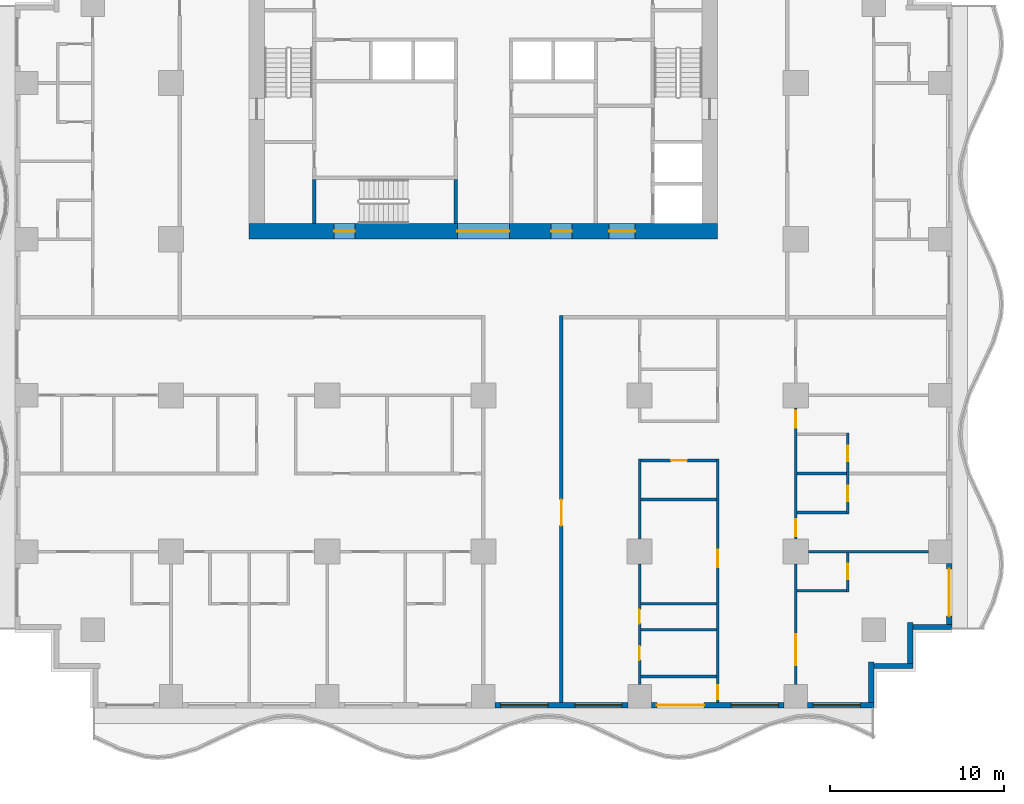
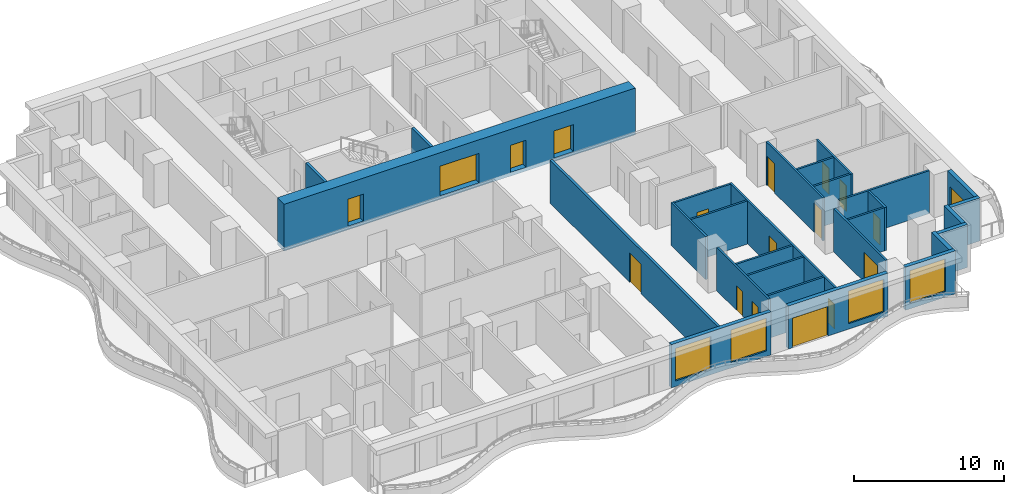
# One storey, part 3 of 13: 28 walls, 18 doors, 4 windows, 22 openings.
"""IFC4 building model written with IfcOpenShell, lengths in metres."""

from ifc_helpers import new_model, si_unit, direction, frame, frame_2d, origin, place, context, subcontext, project, spatial, rectangle, extrude, material, layer, layer_set, type_object, element, fill, save


model = new_model("IFC4")

# Units and contexts
model_context = context("Model", 3, precision=1e-05, world=origin(), true_north=direction((0.0, 1.0)))
body_context = subcontext(model_context, "Body", "Model", "MODEL_VIEW")
ifc_project = project(units=[si_unit("LENGTHUNIT", "METRE"), si_unit("AREAUNIT", "SQUARE_METRE"), si_unit("VOLUMEUNIT", "CUBIC_METRE"), si_unit("PLANEANGLEUNIT", "RADIAN"), si_unit("MASSUNIT", "GRAM", prefix="KILO")], contexts=[model_context])

# Site, building, storey
site_placement = place(None, origin())
site = spatial("IfcSite", under=ifc_project, at=site_placement, CompositionType="ELEMENT")
building_placement = place(site_placement, origin())
building = spatial("IfcBuilding", under=site, at=building_placement, Name="Orbiselva Terraces", CompositionType="ELEMENT")
storey_placement = place(building_placement, frame((0.0, 0.0, 77.0)))
storey = spatial("IfcBuildingStorey", under=building, at=storey_placement, Name="L19", CompositionType="ELEMENT", Elevation=77.0)

# Wall, openings, doors
ifc_material_1 = material(Name="Concrete C80/95", Category="concrete")
ifc_layer_1 = layer(ifc_material_1, 0.9)
ifc_layer_set_1 = layer_set([ifc_layer_1], Name="Concrete C80/95")
wall_type_1 = type_object("IfcWallType", Name="CORE WALL 900", PredefinedType="SHEAR", material=ifc_layer_set_1)
wall_1_placement = place(storey_placement, frame((-13.5, 4.95, -0.3), z_axis=(0.0, 0.0, 1.0), x_axis=(1.0, 0.0, 0.0)))
wall_1 = element("IfcWall", 1, at=wall_1_placement, inside=storey, type_object=wall_type_1, Name="Core wall L19 south", PredefinedType="SHEAR", context=body_context, shape_type="SweptSolid", body=[
    extrude(rectangle(XDim=27.0, YDim=0.9, at=frame_2d((13.5, 0.0))), origin(), (0.0, 0.0, 1.0), 3.8),
])
opening_1_placement = place(wall_1_placement, frame((12.0, 0.0, 0.3)))
opening_1 = element("IfcOpeningElement", 2, at=opening_1_placement, cuts=wall_1, Name="Opening DL3000", PredefinedType="OPENING", context=body_context, shape_type="SweptSolid", body=[
    extrude(rectangle(XDim=3.0, YDim=2.4, at=frame_2d((1.5, 1.2))), frame((0.0, 0.46, 0.0), z_axis=(0.0, -1.0, 0.0), x_axis=(1.0, 0.0, 0.0)), (0.0, 0.0, 1.0), 0.92),
])
opening_2_placement = place(wall_1_placement, frame((4.9, 0.0, 0.3)))
opening_2 = element("IfcOpeningElement", 3, at=opening_2_placement, cuts=wall_1, Name="Opening DS1200", PredefinedType="OPENING", context=body_context, shape_type="SweptSolid", body=[
    extrude(rectangle(XDim=1.2, YDim=2.2, at=frame_2d((0.6, 1.1))), frame((0.0, 0.46, 0.0), z_axis=(0.0, -1.0, 0.0), x_axis=(1.0, 0.0, 0.0)), (0.0, 0.0, 1.0), 0.92),
])
opening_3_placement = place(wall_1_placement, frame((20.75, 0.0, 0.3)))
opening_3 = element("IfcOpeningElement", 4, at=opening_3_placement, cuts=wall_1, Name="Opening DF1500", PredefinedType="OPENING", context=body_context, shape_type="SweptSolid", body=[
    extrude(rectangle(XDim=1.5, YDim=2.2, at=frame_2d((0.75, 1.1))), frame((0.0, 0.46, 0.0), z_axis=(0.0, -1.0, 0.0), x_axis=(1.0, 0.0, 0.0)), (0.0, 0.0, 1.0), 0.92),
])
opening_4_placement = place(wall_1_placement, frame((17.4, 0.0, 0.3)))
opening_4 = element("IfcOpeningElement", 5, at=opening_4_placement, cuts=wall_1, Name="Opening DV1200", PredefinedType="OPENING", context=body_context, shape_type="SweptSolid", body=[
    extrude(rectangle(XDim=1.2, YDim=2.2, at=frame_2d((0.6, 1.1))), frame((0.0, 0.46, 0.0), z_axis=(0.0, -1.0, 0.0), x_axis=(1.0, 0.0, 0.0)), (0.0, 0.0, 1.0), 0.92),
])
ifc_material_2 = material(Name="Steel fire door", Category="steel")
door_type_1 = type_object("IfcDoorType", Name="FFL DOOR 1500", OperationType="DOUBLE_DOOR_SINGLE_SWING", PredefinedType="DOOR", material=ifc_material_2)
door_1_placement = place(opening_3_placement, frame((1.5, 0.0, 0.0), z_axis=(0.0, 0.0, 1.0), x_axis=(-1.0, 0.0, 0.0)))
door_1 = element("IfcDoor", 6, at=door_1_placement, inside=storey, type_object=door_type_1, Name="L19 FIRE-FIGHTING LOBBY door", OperationType="DOUBLE_DOOR_SINGLE_SWING", OverallHeight=2.2, OverallWidth=1.5, PredefinedType="DOOR", context=body_context, shape_type="SweptSolid", body=[
    extrude(rectangle(XDim=1.5, YDim=2.2, at=frame_2d((0.75, 1.1))), frame((0.0, 0.025, 0.0), z_axis=(0.0, -1.0, 0.0), x_axis=(1.0, 0.0, 0.0)), (0.0, 0.0, 1.0), 0.05),
])
fill(opening_3, door_1)
door_type_2 = type_object("IfcDoorType", Name="LOBBY DOOR 3000", OperationType="DOUBLE_DOOR_SINGLE_SWING", PredefinedType="DOOR", material=ifc_material_2)
door_2_placement = place(opening_1_placement, frame((3.0, 0.0, 0.0), z_axis=(0.0, 0.0, 1.0), x_axis=(-1.0, 0.0, 0.0)))
door_2 = element("IfcDoor", 7, at=door_2_placement, inside=storey, type_object=door_type_2, Name="L19 LIFT LOBBY door", OperationType="DOUBLE_DOOR_SINGLE_SWING", OverallHeight=2.4, OverallWidth=3.0, PredefinedType="DOOR", context=body_context, shape_type="SweptSolid", body=[
    extrude(rectangle(XDim=3.0, YDim=2.4, at=frame_2d((1.5, 1.2))), frame((0.0, 0.025, 0.0), z_axis=(0.0, -1.0, 0.0), x_axis=(1.0, 0.0, 0.0)), (0.0, 0.0, 1.0), 0.05),
])
fill(opening_1, door_2)
door_type_3 = type_object("IfcDoorType", Name="SERVICE DOOR 1200", OperationType="NOTDEFINED", PredefinedType="DOOR", material=ifc_material_2)
door_3_placement = place(opening_4_placement, frame((1.2, 0.0, 0.0), z_axis=(0.0, 0.0, 1.0), x_axis=(-1.0, 0.0, 0.0)))
door_3 = element("IfcDoor", 8, at=door_3_placement, inside=storey, type_object=door_type_3, Name="L19 SERVICE ROOM door", OperationType="SINGLE_SWING_RIGHT", OverallHeight=2.2, OverallWidth=1.2, PredefinedType="DOOR", context=body_context, shape_type="SweptSolid", body=[
    extrude(rectangle(XDim=1.2, YDim=2.2, at=frame_2d((0.6, 1.1))), frame((0.0, 0.025, 0.0), z_axis=(0.0, -1.0, 0.0), x_axis=(1.0, 0.0, 0.0)), (0.0, 0.0, 1.0), 0.05),
])
fill(opening_4, door_3)
door_type_4 = type_object("IfcDoorType", Name="STAIR DOOR 1200", OperationType="NOTDEFINED", PredefinedType="DOOR", material=ifc_material_2)
door_4_placement = place(opening_2_placement, frame((1.2, 0.0, 0.0), z_axis=(0.0, 0.0, 1.0), x_axis=(-1.0, 0.0, 0.0)))
door_4 = element("IfcDoor", 9, at=door_4_placement, inside=storey, type_object=door_type_4, Name="L19 EXIT STAIR S3 door", OperationType="SINGLE_SWING_LEFT", OverallHeight=2.2, OverallWidth=1.2, PredefinedType="DOOR", context=body_context, shape_type="SweptSolid", body=[
    extrude(rectangle(XDim=1.2, YDim=2.2, at=frame_2d((0.6, 1.1))), frame((0.0, 0.025, 0.0), z_axis=(0.0, -1.0, 0.0), x_axis=(1.0, 0.0, 0.0)), (0.0, 0.0, 1.0), 0.05),
])
fill(opening_2, door_4)

# Walls
ifc_material_3 = material(Name="Concrete C60/75", Category="concrete")
ifc_layer_2 = layer(ifc_material_3, 0.2)
ifc_layer_set_2 = layer_set([ifc_layer_2], Name="Concrete C60/75")
wall_type_2 = type_object("IfcWallType", Name="CORE-WALL-SHEAR-200", PredefinedType="SHEAR", material=ifc_layer_set_2)
for number, where, z_axis, x_axis, name in (
    (10, (-9.75, 5.4, 0.0), (0.0, 0.0, 1.0), (0.0, 1.0, 0.0), "L19 core wall 03"),
    (11, (-1.6, 5.4, 0.0), (0.0, 0.0, 1.0), (0.0, 1.0, 0.0), "L19 core wall 19"),
):
    element("IfcWall", number, at=place(storey_placement, frame(where, z_axis=z_axis, x_axis=x_axis)), inside=storey, type_object=wall_type_2, Name=name, PredefinedType="SHEAR", context=body_context, shape_type="SweptSolid", body=[
        extrude(rectangle(XDim=2.55, YDim=0.2, at=frame_2d((1.275, 0.0))), origin(), (0.0, 0.0, 1.0), 3.5),
    ])

# Wall, openings, windows
ifc_material_4 = material(Name="Terracotta cladding on masonry backing", Category="masonry")
ifc_layer_3 = layer(ifc_material_4, 0.3)
ifc_layer_set_3 = layer_set([ifc_layer_3], Name="Terracotta cladding on masonry backing")
wall_type_3 = type_object("IfcWallType", Name="ENV-WALL-TERRACOTTA-300", PredefinedType="SOLIDWALL", material=ifc_layer_set_3)
wall_2_placement = place(storey_placement, frame((8.325, -22.35, 0.0), z_axis=(0.0, 0.0, 1.0), x_axis=(-1.0, 0.0, 0.0)))
wall_2 = element("IfcWall", 12, at=wall_2_placement, inside=storey, type_object=wall_type_3, Name="Facade wall L19 S", PredefinedType="SOLIDWALL", context=body_context, shape_type="SweptSolid", body=[
    extrude(rectangle(XDim=7.65, YDim=0.3, at=frame_2d((3.825, 0.0))), origin(), (0.0, 0.0, 1.0), 3.5),
])
opening_5_placement = place(wall_2_placement, frame((4.6, 0.0, 0.45)))
opening_5 = element("IfcOpeningElement", 13, at=opening_5_placement, cuts=wall_2, Name="Opening WN5", PredefinedType="OPENING", context=body_context, shape_type="SweptSolid", body=[
    extrude(rectangle(XDim=2.725, YDim=2.65, at=frame_2d((1.3625, 1.325))), frame((0.0, 0.16, 0.0), z_axis=(0.0, -1.0, 0.0), x_axis=(1.0, 0.0, 0.0)), (0.0, 0.0, 1.0), 0.32),
])
opening_6_placement = place(wall_2_placement, frame((0.325, 0.0, 0.45)))
opening_6 = element("IfcOpeningElement", 14, at=opening_6_placement, cuts=wall_2, Name="Opening WN5", PredefinedType="OPENING", context=body_context, shape_type="SweptSolid", body=[
    extrude(rectangle(XDim=2.725, YDim=2.65, at=frame_2d((1.3625, 1.325))), frame((0.0, 0.16, 0.0), z_axis=(0.0, -1.0, 0.0), x_axis=(1.0, 0.0, 0.0)), (0.0, 0.0, 1.0), 0.32),
])
ifc_material_5 = material(Name="Clear low-e glazing in aluminium frame", Category="aluminium")
window_type = type_object("IfcWindowType", Name="WINDOW 2725 X 2650 S450", PartitioningType="TRIPLE_PANEL_VERTICAL", PredefinedType="WINDOW", material=ifc_material_5)
window_1_placement = place(opening_5_placement, origin())
window_1 = element("IfcWindow", 15, at=window_1_placement, inside=storey, type_object=window_type, Name="Window L19 S", OverallHeight=2.65, OverallWidth=2.725, PartitioningType="SINGLE_PANEL", PredefinedType="WINDOW", context=body_context, shape_type="SweptSolid", body=[
    extrude(rectangle(XDim=2.725, YDim=2.65, at=frame_2d((1.3625, 1.325))), frame((0.0, 0.03, 0.0), z_axis=(0.0, -1.0, 0.0), x_axis=(1.0, 0.0, 0.0)), (0.0, 0.0, 1.0), 0.06),
])
fill(opening_5, window_1)
window_2_placement = place(opening_6_placement, origin())
window_2 = element("IfcWindow", 16, at=window_2_placement, inside=storey, type_object=window_type, Name="Window L19 S", OverallHeight=2.65, OverallWidth=2.725, PartitioningType="SINGLE_PANEL", PredefinedType="WINDOW", context=body_context, shape_type="SweptSolid", body=[
    extrude(rectangle(XDim=2.725, YDim=2.65, at=frame_2d((1.3625, 1.325))), frame((0.0, 0.03, 0.0), z_axis=(0.0, -1.0, 0.0), x_axis=(1.0, 0.0, 0.0)), (0.0, 0.0, 1.0), 0.06),
])
fill(opening_6, window_2)

# Wall, openings, door, window
wall_3_placement = place(storey_placement, frame((17.325, -22.35, 0.0), z_axis=(0.0, 0.0, 1.0), x_axis=(-1.0, 0.0, 0.0)))
wall_3 = element("IfcWall", 17, at=wall_3_placement, inside=storey, type_object=wall_type_3, Name="Facade wall L19 S", PredefinedType="SOLIDWALL", context=body_context, shape_type="SweptSolid", body=[
    extrude(rectangle(XDim=7.65, YDim=0.3, at=frame_2d((3.825, 0.0))), origin(), (0.0, 0.0, 1.0), 3.5),
])
opening_7_placement = place(wall_3_placement, frame((4.6, 0.0, 0.0)))
opening_7 = element("IfcOpeningElement", 18, at=opening_7_placement, cuts=wall_3, Name="Opening Z2-A-E13", PredefinedType="OPENING", context=body_context, shape_type="SweptSolid", body=[
    extrude(rectangle(XDim=2.725, YDim=2.4, at=frame_2d((1.3625, 1.2))), frame((0.0, 0.16, 0.0), z_axis=(0.0, -1.0, 0.0), x_axis=(1.0, 0.0, 0.0)), (0.0, 0.0, 1.0), 0.32),
])
opening_8_placement = place(wall_3_placement, frame((0.325, 0.0, 0.45)))
opening_8 = element("IfcOpeningElement", 19, at=opening_8_placement, cuts=wall_3, Name="Opening WN5", PredefinedType="OPENING", context=body_context, shape_type="SweptSolid", body=[
    extrude(rectangle(XDim=2.725, YDim=2.65, at=frame_2d((1.3625, 1.325))), frame((0.0, 0.16, 0.0), z_axis=(0.0, -1.0, 0.0), x_axis=(1.0, 0.0, 0.0)), (0.0, 0.0, 1.0), 0.32),
])
door_type_5 = type_object("IfcDoorType", Name="BALCONY DOOR 2725 X 2400", OperationType="DOUBLE_DOOR_SLIDING", PredefinedType="DOOR", material=ifc_material_5)
door_5_placement = place(opening_7_placement, origin())
door_5 = element("IfcDoor", 20, at=door_5_placement, inside=storey, type_object=door_type_5, Name="Z2-A-E13", OperationType="SINGLE_SWING_LEFT", OverallHeight=2.4, OverallWidth=2.725, PredefinedType="DOOR", context=body_context, shape_type="SweptSolid", body=[
    extrude(rectangle(XDim=2.725, YDim=2.4, at=frame_2d((1.3625, 1.2))), frame((0.0, 0.025, 0.0), z_axis=(0.0, -1.0, 0.0), x_axis=(1.0, 0.0, 0.0)), (0.0, 0.0, 1.0), 0.05),
])
fill(opening_7, door_5)
window_3_placement = place(opening_8_placement, origin())
window_3 = element("IfcWindow", 21, at=window_3_placement, inside=storey, type_object=window_type, Name="Window L19 S", OverallHeight=2.65, OverallWidth=2.725, PartitioningType="SINGLE_PANEL", PredefinedType="WINDOW", context=body_context, shape_type="SweptSolid", body=[
    extrude(rectangle(XDim=2.725, YDim=2.65, at=frame_2d((1.3625, 1.325))), frame((0.0, 0.03, 0.0), z_axis=(0.0, -1.0, 0.0), x_axis=(1.0, 0.0, 0.0)), (0.0, 0.0, 1.0), 0.06),
])
fill(opening_8, window_3)

# Wall, opening, window
wall_4_placement = place(storey_placement, frame((22.5, -22.35, 0.0), z_axis=(0.0, 0.0, 1.0), x_axis=(-1.0, 0.0, 0.0)))
wall_4 = element("IfcWall", 22, at=wall_4_placement, inside=storey, type_object=wall_type_3, Name="Facade wall L19 S", PredefinedType="SOLIDWALL", context=body_context, shape_type="SweptSolid", body=[
    extrude(rectangle(XDim=3.825, YDim=0.3, at=frame_2d((1.9125, 0.0))), origin(), (0.0, 0.0, 1.0), 3.5),
])
opening_9_placement = place(wall_4_placement, frame((0.775, 0.0, 0.45)))
opening_9 = element("IfcOpeningElement", 23, at=opening_9_placement, cuts=wall_4, Name="Opening WN5", PredefinedType="OPENING", context=body_context, shape_type="SweptSolid", body=[
    extrude(rectangle(XDim=2.725, YDim=2.65, at=frame_2d((1.3625, 1.325))), frame((0.0, 0.16, 0.0), z_axis=(0.0, -1.0, 0.0), x_axis=(1.0, 0.0, 0.0)), (0.0, 0.0, 1.0), 0.32),
])
window_4_placement = place(opening_9_placement, origin())
window_4 = element("IfcWindow", 24, at=window_4_placement, inside=storey, type_object=window_type, Name="Window L19 S", OverallHeight=2.65, OverallWidth=2.725, PartitioningType="SINGLE_PANEL", PredefinedType="WINDOW", context=body_context, shape_type="SweptSolid", body=[
    extrude(rectangle(XDim=2.725, YDim=2.65, at=frame_2d((1.3625, 1.325))), frame((0.0, 0.03, 0.0), z_axis=(0.0, -1.0, 0.0), x_axis=(1.0, 0.0, 0.0)), (0.0, 0.0, 1.0), 0.06),
])
fill(opening_9, window_4)

# Walls
wall_5_placement = place(storey_placement, frame((22.35, -19.85, 0.0), z_axis=(0.0, 0.0, 1.0), x_axis=(0.0, -1.0, 0.0)))
element("IfcWall", 25, at=wall_5_placement, inside=storey, type_object=wall_type_3, Name="Facade wall L19 STEP", PredefinedType="SOLIDWALL", context=body_context, shape_type="SweptSolid", body=[
    extrude(rectangle(XDim=2.35, YDim=0.3, at=frame_2d((1.175, 0.0))), origin(), (0.0, 0.0, 1.0), 3.5),
])
wall_6_placement = place(storey_placement, frame((24.75, -20.1, 0.0), z_axis=(0.0, 0.0, 1.0), x_axis=(-1.0, 0.0, 0.0)))
element("IfcWall", 26, at=wall_6_placement, inside=storey, type_object=wall_type_3, Name="Facade wall L19 STEP", PredefinedType="SOLIDWALL", context=body_context, shape_type="SweptSolid", body=[
    extrude(rectangle(XDim=2.25, YDim=0.3, at=frame_2d((1.125, 0.0))), origin(), (0.0, 0.0, 1.0), 3.5),
])
wall_7_placement = place(storey_placement, frame((24.6, -17.6, 0.0), z_axis=(0.0, 0.0, 1.0), x_axis=(0.0, -1.0, 0.0)))
element("IfcWall", 27, at=wall_7_placement, inside=storey, type_object=wall_type_3, Name="Facade wall L19 STEP", PredefinedType="SOLIDWALL", context=body_context, shape_type="SweptSolid", body=[
    extrude(rectangle(XDim=2.35, YDim=0.3, at=frame_2d((1.175, 0.0))), origin(), (0.0, 0.0, 1.0), 3.5),
])
wall_8_placement = place(storey_placement, frame((27.0, -17.85, 0.0), z_axis=(0.0, 0.0, 1.0), x_axis=(-1.0, 0.0, 0.0)))
element("IfcWall", 28, at=wall_8_placement, inside=storey, type_object=wall_type_3, Name="Facade wall L19 STEP", PredefinedType="SOLIDWALL", context=body_context, shape_type="SweptSolid", body=[
    extrude(rectangle(XDim=2.25, YDim=0.3, at=frame_2d((1.125, 0.0))), origin(), (0.0, 0.0, 1.0), 3.5),
])

# Wall, opening, door
wall_9_placement = place(storey_placement, frame((26.85, -14.175, 0.0), z_axis=(0.0, 0.0, 1.0), x_axis=(0.0, -1.0, 0.0)))
wall_9 = element("IfcWall", 29, at=wall_9_placement, inside=storey, type_object=wall_type_3, Name="Facade wall L19 E", PredefinedType="SOLIDWALL", context=body_context, shape_type="SweptSolid", body=[
    extrude(rectangle(XDim=3.525, YDim=0.3, at=frame_2d((1.7625, 0.0))), origin(), (0.0, 0.0, 1.0), 3.5),
])
opening_10_placement = place(wall_9_placement, frame((0.325, 0.0, 0.0)))
opening_10 = element("IfcOpeningElement", 30, at=opening_10_placement, cuts=wall_9, Name="Opening Z2-A-E17", PredefinedType="OPENING", context=body_context, shape_type="SweptSolid", body=[
    extrude(rectangle(XDim=2.725, YDim=2.4, at=frame_2d((1.3625, 1.2))), frame((0.0, 0.16, 0.0), z_axis=(0.0, -1.0, 0.0), x_axis=(1.0, 0.0, 0.0)), (0.0, 0.0, 1.0), 0.32),
])
door_6_placement = place(opening_10_placement, origin())
door_6 = element("IfcDoor", 31, at=door_6_placement, inside=storey, type_object=door_type_5, Name="Z2-A-E17", OperationType="SINGLE_SWING_LEFT", OverallHeight=2.4, OverallWidth=2.725, PredefinedType="DOOR", context=body_context, shape_type="SweptSolid", body=[
    extrude(rectangle(XDim=2.725, YDim=2.4, at=frame_2d((1.3625, 1.2))), frame((0.0, 0.025, 0.0), z_axis=(0.0, -1.0, 0.0), x_axis=(1.0, 0.0, 0.0)), (0.0, 0.0, 1.0), 0.05),
])
fill(opening_10, door_6)

ifc_material_6 = material(Name="Plasterboard on steel stud partition", Category="steel")
ifc_layer_4 = layer(ifc_material_6, 0.2)
ifc_layer_set_4 = layer_set([ifc_layer_4], Name="Plasterboard on steel stud partition")
wall_type_4 = type_object("IfcWallType", Name="UNIT-ENTRANCE-WALL-200", PredefinedType="PARTITIONING", material=ifc_layer_set_4)
wall_10_placement = place(storey_placement, frame((4.5, 0.1, 0.0), z_axis=(0.0, 0.0, 1.0), x_axis=(0.0, -1.0, 0.0)))
wall_10 = element("IfcWall", 32, at=wall_10_placement, inside=storey, type_object=wall_type_4, Name="PARTITION L19-068", PredefinedType="PARTITIONING", context=body_context, shape_type="SweptSolid", body=[
    extrude(rectangle(XDim=22.3, YDim=0.2, at=frame_2d((11.15, 0.0))), origin(), (0.0, 0.0, 1.0), 3.5),
])
opening_11_placement = place(wall_10_placement, frame((10.6, 0.0, 0.0)))
opening_11 = element("IfcOpeningElement", 33, at=opening_11_placement, cuts=wall_10, Name="Opening Z2-A-32", PredefinedType="OPENING", context=body_context, shape_type="SweptSolid", body=[
    extrude(rectangle(XDim=1.5, YDim=2.4, at=frame_2d((0.75, 1.2))), frame((0.0, 0.11, 0.0), z_axis=(0.0, -1.0, 0.0), x_axis=(1.0, 0.0, 0.0)), (0.0, 0.0, 1.0), 0.22),
])
ifc_material_7 = material(Name="Painted timber door leaf", Category="wood")
door_type_6 = type_object("IfcDoorType", Name="ENTRANCE DOUBLE DOOR 1500", OperationType="NOTDEFINED", PredefinedType="DOOR", material=ifc_material_7)
door_7_placement = place(opening_11_placement, origin())
door_7 = element("IfcDoor", 34, at=door_7_placement, inside=storey, type_object=door_type_6, Name="Z2-A-32", OperationType="DOUBLE_DOOR_SINGLE_SWING", OverallHeight=2.4, OverallWidth=1.5, PredefinedType="DOOR", context=body_context, shape_type="SweptSolid", body=[
    extrude(rectangle(XDim=1.5, YDim=2.4, at=frame_2d((0.75, 1.2))), frame((0.0, 0.025, 0.0), z_axis=(0.0, -1.0, 0.0), x_axis=(1.0, 0.0, 0.0)), (0.0, 0.0, 1.0), 0.05),
])
fill(opening_11, door_7)

# Walls
ifc_layer_5 = layer(ifc_material_6, 0.15)
ifc_layer_set_5 = layer_set([ifc_layer_5], Name="Plasterboard on steel stud partition")
wall_type_5 = type_object("IfcWallType", Name="UNIT-PARTITION-150", PredefinedType="PARTITIONING", material=ifc_layer_set_5)
for number, where, z_axis, x_axis, name in (
    (35, (9.075, -20.7, 0.0), (0.0, 0.0, 1.0), (1.0, 0.0, 0.0), "PARTITION L19-001"),
    (36, (9.075, -18.0, 0.0), (0.0, 0.0, 1.0), (1.0, 0.0, 0.0), "PARTITION L19-002"),
    (37, (9.075, -16.5, 0.0), (0.0, 0.0, 1.0), (1.0, 0.0, 0.0), "PARTITION L19-007"),
):
    element("IfcWall", number, at=place(storey_placement, frame(where, z_axis=z_axis, x_axis=x_axis)), inside=storey, type_object=wall_type_5, Name=name, PredefinedType="PARTITIONING", context=body_context, shape_type="SweptSolid", body=[
        extrude(rectangle(XDim=4.35, YDim=0.15, at=frame_2d((2.175, 0.0))), origin(), (0.0, 0.0, 1.0), 3.5),
    ])
wall_11_placement = place(storey_placement, frame((18.075, -15.75, 0.0), z_axis=(0.0, 0.0, 1.0), x_axis=(1.0, 0.0, 0.0)))
element("IfcWall", 38, at=wall_11_placement, inside=storey, type_object=wall_type_5, Name="PARTITION L19-008", PredefinedType="PARTITIONING", context=body_context, shape_type="SweptSolid", body=[
    extrude(rectangle(XDim=2.85, YDim=0.15, at=frame_2d((1.425, 0.0))), origin(), (0.0, 0.0, 1.0), 3.5),
])
wall_12_placement = place(storey_placement, frame((18.725, -13.5, 0.0), z_axis=(0.0, 0.0, 1.0), x_axis=(1.0, 0.0, 0.0)))
element("IfcWall", 39, at=wall_12_placement, inside=storey, type_object=wall_type_5, Name="PARTITION L19-012", PredefinedType="PARTITIONING", context=body_context, shape_type="SweptSolid", body=[
    extrude(rectangle(XDim=6.925, YDim=0.15, at=frame_2d((3.4625, 0.0))), origin(), (0.0, 0.0, 1.0), 3.5),
])
wall_13_placement = place(storey_placement, frame((18.075, -11.25, 0.0), z_axis=(0.0, 0.0, 1.0), x_axis=(1.0, 0.0, 0.0)))
element("IfcWall", 40, at=wall_13_placement, inside=storey, type_object=wall_type_5, Name="PARTITION L19-013", PredefinedType="PARTITIONING", context=body_context, shape_type="SweptSolid", body=[
    extrude(rectangle(XDim=2.85, YDim=0.15, at=frame_2d((1.425, 0.0))), origin(), (0.0, 0.0, 1.0), 3.5),
])
wall_14_placement = place(storey_placement, frame((9.075, -10.5, 0.0), z_axis=(0.0, 0.0, 1.0), x_axis=(1.0, 0.0, 0.0)))
element("IfcWall", 41, at=wall_14_placement, inside=storey, type_object=wall_type_5, Name="PARTITION L19-014", PredefinedType="PARTITIONING", context=body_context, shape_type="SweptSolid", body=[
    extrude(rectangle(XDim=4.35, YDim=0.15, at=frame_2d((2.175, 0.0))), origin(), (0.0, 0.0, 1.0), 3.5),
])
wall_15_placement = place(storey_placement, frame((18.075, -9.0, 0.0), z_axis=(0.0, 0.0, 1.0), x_axis=(1.0, 0.0, 0.0)))
element("IfcWall", 42, at=wall_15_placement, inside=storey, type_object=wall_type_5, Name="PARTITION L19-017", PredefinedType="PARTITIONING", context=body_context, shape_type="SweptSolid", body=[
    extrude(rectangle(XDim=2.85, YDim=0.15, at=frame_2d((1.425, 0.0))), origin(), (0.0, 0.0, 1.0), 3.5),
])

# Wall, opening, door
wall_16_placement = place(storey_placement, frame((13.425, -8.25, 0.0), z_axis=(0.0, 0.0, 1.0), x_axis=(-1.0, 0.0, 0.0)))
wall_16 = element("IfcWall", 43, at=wall_16_placement, inside=storey, type_object=wall_type_5, Name="PARTITION L19-019", PredefinedType="PARTITIONING", context=body_context, shape_type="SweptSolid", body=[
    extrude(rectangle(XDim=4.35, YDim=0.15, at=frame_2d((2.175, 0.0))), origin(), (0.0, 0.0, 1.0), 3.5),
])
opening_12_placement = place(wall_16_placement, frame((1.7, 0.0, 0.0)))
opening_12 = element("IfcOpeningElement", 44, at=opening_12_placement, cuts=wall_16, Name="Opening Z2-A-37", PredefinedType="OPENING", context=body_context, shape_type="SweptSolid", body=[
    extrude(rectangle(XDim=0.9, YDim=2.1, at=frame_2d((0.45, 1.05))), frame((0.0, 0.085, 0.0), z_axis=(0.0, -1.0, 0.0), x_axis=(1.0, 0.0, 0.0)), (0.0, 0.0, 1.0), 0.17),
])
door_type_7 = type_object("IfcDoorType", Name="BATH DOOR 900", OperationType="NOTDEFINED", PredefinedType="DOOR", material=ifc_material_7)
door_8_placement = place(opening_12_placement, origin())
door_8 = element("IfcDoor", 45, at=door_8_placement, inside=storey, type_object=door_type_7, Name="Z2-A-37", OperationType="SINGLE_SWING_LEFT", OverallHeight=2.1, OverallWidth=0.9, PredefinedType="DOOR", context=body_context, shape_type="SweptSolid", body=[
    extrude(rectangle(XDim=0.9, YDim=2.1, at=frame_2d((0.45, 1.05))), frame((0.0, 0.025, 0.0), z_axis=(0.0, -1.0, 0.0), x_axis=(1.0, 0.0, 0.0)), (0.0, 0.0, 1.0), 0.05),
])
fill(opening_12, door_8)

# Wall, openings, doors
wall_17_placement = place(storey_placement, frame((9.0, -14.225, 0.0), z_axis=(0.0, 0.0, 1.0), x_axis=(0.0, -1.0, 0.0)))
wall_17 = element("IfcWall", 46, at=wall_17_placement, inside=storey, type_object=wall_type_5, Name="PARTITION L19-069", PredefinedType="PARTITIONING", context=body_context, shape_type="SweptSolid", body=[
    extrude(rectangle(XDim=6.925, YDim=0.15, at=frame_2d((3.4625, 0.0))), origin(), (0.0, 0.0, 1.0), 3.5),
])
opening_13_placement = place(wall_17_placement, frame((4.725, 0.0, 0.0)))
opening_13 = element("IfcOpeningElement", 47, at=opening_13_placement, cuts=wall_17, Name="Opening Z2-A-34", PredefinedType="OPENING", context=body_context, shape_type="SweptSolid", body=[
    extrude(rectangle(XDim=0.8, YDim=2.0, at=frame_2d((0.4, 1.0))), frame((0.0, 0.085, 0.0), z_axis=(0.0, -1.0, 0.0), x_axis=(1.0, 0.0, 0.0)), (0.0, 0.0, 1.0), 0.17),
])
opening_14_placement = place(wall_17_placement, frame((2.625, 0.0, 0.0)))
opening_14 = element("IfcOpeningElement", 48, at=opening_14_placement, cuts=wall_17, Name="Opening Z2-A-35", PredefinedType="OPENING", context=body_context, shape_type="SweptSolid", body=[
    extrude(rectangle(XDim=0.8, YDim=2.0, at=frame_2d((0.4, 1.0))), frame((0.0, 0.085, 0.0), z_axis=(0.0, -1.0, 0.0), x_axis=(1.0, 0.0, 0.0)), (0.0, 0.0, 1.0), 0.17),
])
door_type_8 = type_object("IfcDoorType", Name="STORE DOOR 800", OperationType="NOTDEFINED", PredefinedType="DOOR", material=ifc_material_7)
door_9_placement = place(opening_13_placement, origin())
door_9 = element("IfcDoor", 49, at=door_9_placement, inside=storey, type_object=door_type_8, Name="Z2-A-34", OperationType="SINGLE_SWING_RIGHT", OverallHeight=2.0, OverallWidth=0.8, PredefinedType="DOOR", context=body_context, shape_type="SweptSolid", body=[
    extrude(rectangle(XDim=0.8, YDim=2.0, at=frame_2d((0.4, 1.0))), frame((0.0, 0.025, 0.0), z_axis=(0.0, -1.0, 0.0), x_axis=(1.0, 0.0, 0.0)), (0.0, 0.0, 1.0), 0.05),
])
fill(opening_13, door_9)
door_10_placement = place(opening_14_placement, origin())
door_10 = element("IfcDoor", 50, at=door_10_placement, inside=storey, type_object=door_type_8, Name="Z2-A-35", OperationType="SINGLE_SWING_LEFT", OverallHeight=2.0, OverallWidth=0.8, PredefinedType="DOOR", context=body_context, shape_type="SweptSolid", body=[
    extrude(rectangle(XDim=0.8, YDim=2.0, at=frame_2d((0.4, 1.0))), frame((0.0, 0.025, 0.0), z_axis=(0.0, -1.0, 0.0), x_axis=(1.0, 0.0, 0.0)), (0.0, 0.0, 1.0), 0.05),
])
fill(opening_14, door_10)

# Wall
wall_18_placement = place(storey_placement, frame((9.0, -12.775, 0.0), z_axis=(0.0, 0.0, 1.0), x_axis=(0.0, 1.0, 0.0)))
element("IfcWall", 51, at=wall_18_placement, inside=storey, type_object=wall_type_5, Name="PARTITION L19-070", PredefinedType="PARTITIONING", context=body_context, shape_type="SweptSolid", body=[
    extrude(rectangle(XDim=4.6, YDim=0.15, at=frame_2d((2.3, 0.0))), origin(), (0.0, 0.0, 1.0), 3.5),
])

# Wall, openings, doors
wall_19_placement = place(storey_placement, frame((13.5, -22.2, 0.0), z_axis=(0.0, 0.0, 1.0), x_axis=(0.0, 1.0, 0.0)))
wall_19 = element("IfcWall", 52, at=wall_19_placement, inside=storey, type_object=wall_type_5, Name="PARTITION L19-073", PredefinedType="PARTITIONING", context=body_context, shape_type="SweptSolid", body=[
    extrude(rectangle(XDim=14.025, YDim=0.15, at=frame_2d((7.0125, 0.0))), origin(), (0.0, 0.0, 1.0), 3.5),
])
opening_15_placement = place(wall_19_placement, frame((0.2, 0.0, 0.0)))
opening_15 = element("IfcOpeningElement", 53, at=opening_15_placement, cuts=wall_19, Name="Opening Z2-A-33", PredefinedType="OPENING", context=body_context, shape_type="SweptSolid", body=[
    extrude(rectangle(XDim=0.8, YDim=2.0, at=frame_2d((0.4, 1.0))), frame((0.0, 0.085, 0.0), z_axis=(0.0, -1.0, 0.0), x_axis=(1.0, 0.0, 0.0)), (0.0, 0.0, 1.0), 0.17),
])
opening_16_placement = place(wall_19_placement, frame((7.8, 0.0, 0.0)))
opening_16 = element("IfcOpeningElement", 54, at=opening_16_placement, cuts=wall_19, Name="Opening Z2-A-36", PredefinedType="OPENING", context=body_context, shape_type="SweptSolid", body=[
    extrude(rectangle(XDim=1.0, YDim=2.4, at=frame_2d((0.5, 1.2))), frame((0.0, 0.085, 0.0), z_axis=(0.0, -1.0, 0.0), x_axis=(1.0, 0.0, 0.0)), (0.0, 0.0, 1.0), 0.17),
])
door_type_9 = type_object("IfcDoorType", Name="ROOM DOOR 1000", OperationType="NOTDEFINED", PredefinedType="DOOR", material=ifc_material_7)
door_11_placement = place(opening_16_placement, origin())
door_11 = element("IfcDoor", 55, at=door_11_placement, inside=storey, type_object=door_type_9, Name="Z2-A-36", OperationType="SINGLE_SWING_RIGHT", OverallHeight=2.4, OverallWidth=1.0, PredefinedType="DOOR", context=body_context, shape_type="SweptSolid", body=[
    extrude(rectangle(XDim=1.0, YDim=2.4, at=frame_2d((0.5, 1.2))), frame((0.0, 0.025, 0.0), z_axis=(0.0, -1.0, 0.0), x_axis=(1.0, 0.0, 0.0)), (0.0, 0.0, 1.0), 0.05),
])
fill(opening_16, door_11)
door_12_placement = place(opening_15_placement, origin())
door_12 = element("IfcDoor", 56, at=door_12_placement, inside=storey, type_object=door_type_8, Name="Z2-A-33", OperationType="SINGLE_SWING_LEFT", OverallHeight=2.0, OverallWidth=0.8, PredefinedType="DOOR", context=body_context, shape_type="SweptSolid", body=[
    extrude(rectangle(XDim=0.8, YDim=2.0, at=frame_2d((0.4, 1.0))), frame((0.0, 0.025, 0.0), z_axis=(0.0, -1.0, 0.0), x_axis=(1.0, 0.0, 0.0)), (0.0, 0.0, 1.0), 0.05),
])
fill(opening_15, door_12)

# Wall, opening, door
wall_20_placement = place(storey_placement, frame((18.0, -14.225, 0.0), z_axis=(0.0, 0.0, 1.0), x_axis=(0.0, -1.0, 0.0)))
wall_20 = element("IfcWall", 57, at=wall_20_placement, inside=storey, type_object=wall_type_5, Name="PARTITION L19-078", PredefinedType="PARTITIONING", context=body_context, shape_type="SweptSolid", body=[
    extrude(rectangle(XDim=6.925, YDim=0.15, at=frame_2d((3.4625, 0.0))), origin(), (0.0, 0.0, 1.0), 3.5),
])
opening_17_placement = place(wall_20_placement, frame((4.025, 0.0, 0.0)))
opening_17 = element("IfcOpeningElement", 58, at=opening_17_placement, cuts=wall_20, Name="Opening Z2-A-40", PredefinedType="OPENING", context=body_context, shape_type="SweptSolid", body=[
    extrude(rectangle(XDim=1.8, YDim=2.4, at=frame_2d((0.9, 1.2))), frame((0.0, 0.085, 0.0), z_axis=(0.0, -1.0, 0.0), x_axis=(1.0, 0.0, 0.0)), (0.0, 0.0, 1.0), 0.17),
])
door_type_10 = type_object("IfcDoorType", Name="DOUBLE DOOR 1800", OperationType="NOTDEFINED", PredefinedType="DOOR", material=ifc_material_7)
door_13_placement = place(opening_17_placement, origin())
door_13 = element("IfcDoor", 59, at=door_13_placement, inside=storey, type_object=door_type_10, Name="Z2-A-40", OperationType="DOUBLE_DOOR_SINGLE_SWING", OverallHeight=2.4, OverallWidth=1.8, PredefinedType="DOOR", context=body_context, shape_type="SweptSolid", body=[
    extrude(rectangle(XDim=1.8, YDim=2.4, at=frame_2d((0.9, 1.2))), frame((0.0, 0.025, 0.0), z_axis=(0.0, -1.0, 0.0), x_axis=(1.0, 0.0, 0.0)), (0.0, 0.0, 1.0), 0.05),
])
fill(opening_17, door_13)

# Wall, openings, doors
wall_21_placement = place(storey_placement, frame((18.0, -5.225, 0.0), z_axis=(0.0, 0.0, 1.0), x_axis=(0.0, -1.0, 0.0)))
wall_21 = element("IfcWall", 60, at=wall_21_placement, inside=storey, type_object=wall_type_5, Name="PARTITION L19-079", PredefinedType="PARTITIONING", context=body_context, shape_type="SweptSolid", body=[
    extrude(rectangle(XDim=7.55, YDim=0.15, at=frame_2d((3.775, 0.0))), origin(), (0.0, 0.0, 1.0), 3.5),
])
opening_18_placement = place(wall_21_placement, frame((6.4, 0.0, 0.0)))
opening_18 = element("IfcOpeningElement", 61, at=opening_18_placement, cuts=wall_21, Name="Opening Z2-A-42", PredefinedType="OPENING", context=body_context, shape_type="SweptSolid", body=[
    extrude(rectangle(XDim=1.0, YDim=2.4, at=frame_2d((0.5, 1.2))), frame((0.0, 0.085, 0.0), z_axis=(0.0, -1.0, 0.0), x_axis=(1.0, 0.0, 0.0)), (0.0, 0.0, 1.0), 0.17),
])
opening_19_placement = place(wall_21_placement, frame((0.15, 0.0, 0.0)))
opening_19 = element("IfcOpeningElement", 62, at=opening_19_placement, cuts=wall_21, Name="Opening Z2-A-44", PredefinedType="OPENING", context=body_context, shape_type="SweptSolid", body=[
    extrude(rectangle(XDim=1.0, YDim=2.4, at=frame_2d((0.5, 1.2))), frame((0.0, 0.085, 0.0), z_axis=(0.0, -1.0, 0.0), x_axis=(1.0, 0.0, 0.0)), (0.0, 0.0, 1.0), 0.17),
])
door_14_placement = place(opening_18_placement, origin())
door_14 = element("IfcDoor", 63, at=door_14_placement, inside=storey, type_object=door_type_9, Name="Z2-A-42", OperationType="SINGLE_SWING_RIGHT", OverallHeight=2.4, OverallWidth=1.0, PredefinedType="DOOR", context=body_context, shape_type="SweptSolid", body=[
    extrude(rectangle(XDim=1.0, YDim=2.4, at=frame_2d((0.5, 1.2))), frame((0.0, 0.025, 0.0), z_axis=(0.0, -1.0, 0.0), x_axis=(1.0, 0.0, 0.0)), (0.0, 0.0, 1.0), 0.05),
])
fill(opening_18, door_14)
door_15_placement = place(opening_19_placement, origin())
door_15 = element("IfcDoor", 64, at=door_15_placement, inside=storey, type_object=door_type_9, Name="Z2-A-44", OperationType="SINGLE_SWING_LEFT", OverallHeight=2.4, OverallWidth=1.0, PredefinedType="DOOR", context=body_context, shape_type="SweptSolid", body=[
    extrude(rectangle(XDim=1.0, YDim=2.4, at=frame_2d((0.5, 1.2))), frame((0.0, 0.025, 0.0), z_axis=(0.0, -1.0, 0.0), x_axis=(1.0, 0.0, 0.0)), (0.0, 0.0, 1.0), 0.05),
])
fill(opening_19, door_15)

# Wall, opening, door
wall_22_placement = place(storey_placement, frame((21.0, -15.825, 0.0), z_axis=(0.0, 0.0, 1.0), x_axis=(0.0, 1.0, 0.0)))
wall_22 = element("IfcWall", 65, at=wall_22_placement, inside=storey, type_object=wall_type_5, Name="PARTITION L19-081", PredefinedType="PARTITIONING", context=body_context, shape_type="SweptSolid", body=[
    extrude(rectangle(XDim=2.25, YDim=0.15, at=frame_2d((1.125, 0.0))), origin(), (0.0, 0.0, 1.0), 3.5),
])
opening_20_placement = place(wall_22_placement, frame((0.725, 0.0, 0.0)))
opening_20 = element("IfcOpeningElement", 66, at=opening_20_placement, cuts=wall_22, Name="Opening Z2-A-41", PredefinedType="OPENING", context=body_context, shape_type="SweptSolid", body=[
    extrude(rectangle(XDim=0.9, YDim=2.1, at=frame_2d((0.45, 1.05))), frame((0.0, 0.085, 0.0), z_axis=(0.0, -1.0, 0.0), x_axis=(1.0, 0.0, 0.0)), (0.0, 0.0, 1.0), 0.17),
])
door_16_placement = place(opening_20_placement, origin())
door_16 = element("IfcDoor", 67, at=door_16_placement, inside=storey, type_object=door_type_7, Name="Z2-A-41", OperationType="SINGLE_SWING_RIGHT", OverallHeight=2.1, OverallWidth=0.9, PredefinedType="DOOR", context=body_context, shape_type="SweptSolid", body=[
    extrude(rectangle(XDim=0.9, YDim=2.1, at=frame_2d((0.45, 1.05))), frame((0.0, 0.025, 0.0), z_axis=(0.0, -1.0, 0.0), x_axis=(1.0, 0.0, 0.0)), (0.0, 0.0, 1.0), 0.05),
])
fill(opening_20, door_16)

# Wall, openings, doors
wall_23_placement = place(storey_placement, frame((21.0, -11.325, 0.0), z_axis=(0.0, 0.0, 1.0), x_axis=(0.0, 1.0, 0.0)))
wall_23 = element("IfcWall", 68, at=wall_23_placement, inside=storey, type_object=wall_type_5, Name="PARTITION L19-082", PredefinedType="PARTITIONING", context=body_context, shape_type="SweptSolid", body=[
    extrude(rectangle(XDim=4.65, YDim=0.15, at=frame_2d((2.325, 0.0))), origin(), (0.0, 0.0, 1.0), 3.5),
])
opening_21_placement = place(wall_23_placement, frame((0.725, 0.0, 0.0)))
opening_21 = element("IfcOpeningElement", 69, at=opening_21_placement, cuts=wall_23, Name="Opening Z2-A-43", PredefinedType="OPENING", context=body_context, shape_type="SweptSolid", body=[
    extrude(rectangle(XDim=0.9, YDim=2.1, at=frame_2d((0.45, 1.05))), frame((0.0, 0.085, 0.0), z_axis=(0.0, -1.0, 0.0), x_axis=(1.0, 0.0, 0.0)), (0.0, 0.0, 1.0), 0.17),
])
opening_22_placement = place(wall_23_placement, frame((3.025, 0.0, 0.0)))
opening_22 = element("IfcOpeningElement", 70, at=opening_22_placement, cuts=wall_23, Name="Opening Z2-A-45", PredefinedType="OPENING", context=body_context, shape_type="SweptSolid", body=[
    extrude(rectangle(XDim=0.9, YDim=2.1, at=frame_2d((0.45, 1.05))), frame((0.0, 0.085, 0.0), z_axis=(0.0, -1.0, 0.0), x_axis=(1.0, 0.0, 0.0)), (0.0, 0.0, 1.0), 0.17),
])
door_17_placement = place(opening_21_placement, origin())
door_17 = element("IfcDoor", 71, at=door_17_placement, inside=storey, type_object=door_type_7, Name="Z2-A-43", OperationType="SINGLE_SWING_LEFT", OverallHeight=2.1, OverallWidth=0.9, PredefinedType="DOOR", context=body_context, shape_type="SweptSolid", body=[
    extrude(rectangle(XDim=0.9, YDim=2.1, at=frame_2d((0.45, 1.05))), frame((0.0, 0.025, 0.0), z_axis=(0.0, -1.0, 0.0), x_axis=(1.0, 0.0, 0.0)), (0.0, 0.0, 1.0), 0.05),
])
fill(opening_21, door_17)
door_18_placement = place(opening_22_placement, origin())
door_18 = element("IfcDoor", 72, at=door_18_placement, inside=storey, type_object=door_type_7, Name="Z2-A-45", OperationType="SINGLE_SWING_RIGHT", OverallHeight=2.1, OverallWidth=0.9, PredefinedType="DOOR", context=body_context, shape_type="SweptSolid", body=[
    extrude(rectangle(XDim=0.9, YDim=2.1, at=frame_2d((0.45, 1.05))), frame((0.0, 0.025, 0.0), z_axis=(0.0, -1.0, 0.0), x_axis=(1.0, 0.0, 0.0)), (0.0, 0.0, 1.0), 0.05),
])
fill(opening_22, door_18)

save(model, "model.ifc")
